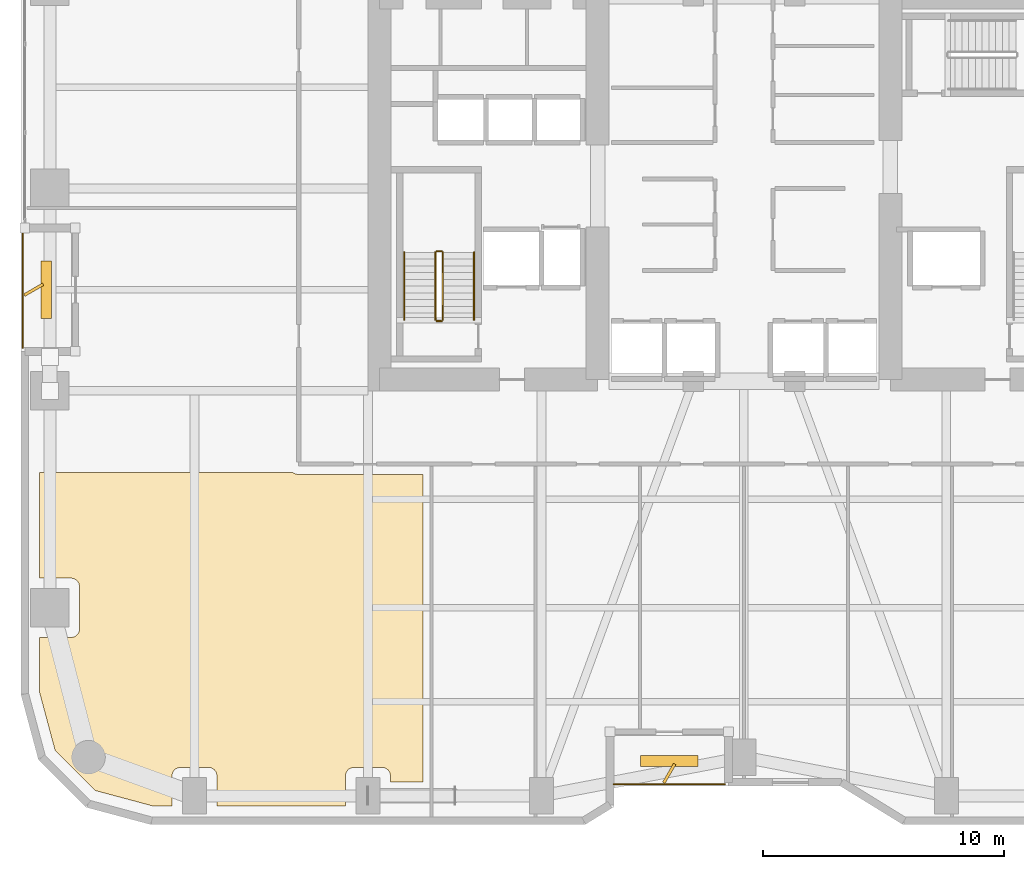
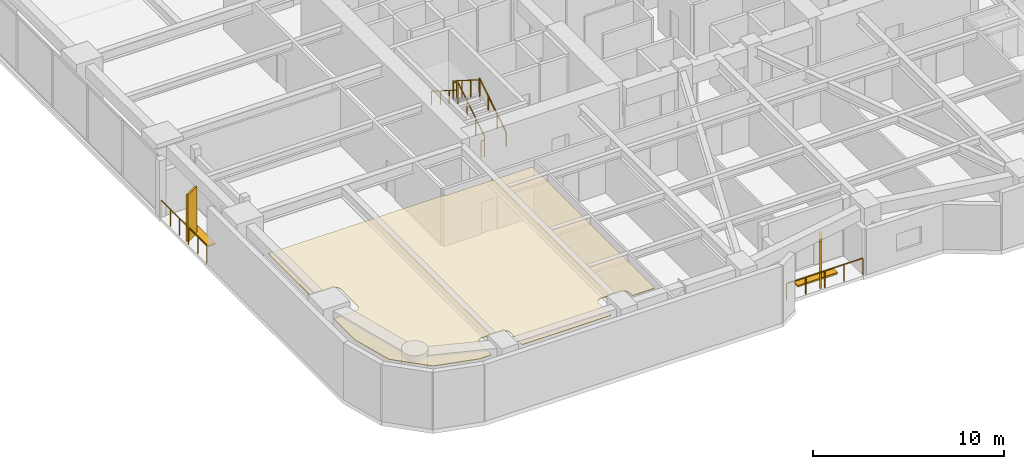
# One storey, part 26 of 28: 8 railings, 4 shading devices, 1 covering.
"""IFC4 building model written with IfcOpenShell, lengths in metres."""

from ifc_helpers import new_model, si_unit, direction, frame, origin, origin_2d, place, context, subcontext, project, spatial, polyline, rectangle, outline, extrude, material, layer, layer_set, type_object, element, save


model = new_model("IFC4")

# Units and contexts
model_context = context("Model", 3, precision=1e-05, world=origin(), true_north=direction((0.0, 1.0)))
body_context = subcontext(model_context, "Body", "Model", "MODEL_VIEW")
ifc_project = project(units=[si_unit("LENGTHUNIT", "METRE"), si_unit("AREAUNIT", "SQUARE_METRE"), si_unit("VOLUMEUNIT", "CUBIC_METRE"), si_unit("PLANEANGLEUNIT", "RADIAN"), si_unit("MASSUNIT", "GRAM", prefix="KILO")], contexts=[model_context])

# Site, building, storey
site_placement = place(None, origin())
site = spatial("IfcSite", under=ifc_project, at=site_placement, CompositionType="ELEMENT")
building_placement = place(site_placement, origin())
building = spatial("IfcBuilding", under=site, at=building_placement, Name="Kiyonajd Concourse Tower", CompositionType="ELEMENT")
storey_placement = place(building_placement, frame((0.0, 0.0, 60.60009765625)))
storey = spatial("IfcBuildingStorey", under=building, at=storey_placement, Name="L16", CompositionType="ELEMENT", Elevation=60.60009765625)

# Covering
ifc_material_1 = material(Name="Natural Oak Acoustic Timber Veneer", Category="wood")
ifc_layer = layer(ifc_material_1, 0.0400390625)
ifc_layer_set = layer_set([ifc_layer], Name="Natural Oak Acoustic Timber Veneer")
covering_type = type_object("IfcCoveringType", Name="CV-CLG-ACST", PredefinedType="CEILING", material=ifc_layer_set)
covering_placement = place(storey_placement, frame((0.0, 0.0, 3.4599609375)))
element("IfcCovering", 1, at=covering_placement, inside=storey, type_object=covering_type, Name="L16-40 Room Acoustic Ceiling", PredefinedType="CEILING", context=body_context, shape_type="SweptSolid", body=[
    extrude(outline(polyline([(19.4140625, 12.697998046875), (18.77001953125, 15.10107421875), (18.77001953125, 17.3701171875), (20.114013671875, 17.3720703125), (20.181884765625, 17.385009765625), (20.2451171875, 17.410888671875), (20.302001953125, 17.448974609375), (20.35107421875, 17.498046875), (20.388916015625, 17.554931640625), (20.4150390625, 17.617919921875), (20.429931640625, 17.719970703125), (20.427978515625, 19.513916015625), (20.403076171875, 19.614013671875), (20.35107421875, 19.701904296875), (20.302001953125, 19.7509765625), (20.2451171875, 19.7890625), (20.14794921875, 19.822998046875), (20.080078125, 19.830078125), (18.77001953125, 19.830078125), (18.77001953125, 24.2099609375), (29.277099609375, 24.2099609375), (29.33203125, 24.176025390625), (29.39501953125, 24.14990234375), (29.52490234375, 24.1298828125), (34.68994140625, 24.1298828125), (34.68994140625, 11.3701171875), (33.330078125, 11.3701171875), (33.327880859375, 11.6640625), (33.302978515625, 11.763916015625), (33.27099609375, 11.823974609375), (33.22705078125, 11.876953125), (33.174072265625, 11.9208984375), (33.114013671875, 11.952880859375), (33.048095703125, 11.972900390625), (32.97998046875, 11.97998046875), (31.785888671875, 11.97802734375), (31.68603515625, 11.952880859375), (31.597900390625, 11.90087890625), (31.549072265625, 11.85205078125), (31.510986328125, 11.794921875), (31.47705078125, 11.697998046875), (31.469970703125, 11.6298828125), (31.469970703125, 10.3701171875), (26.1298828125, 10.3701171875), (26.1279296875, 11.6640625), (26.114990234375, 11.73193359375), (26.089111328125, 11.794921875), (26.027099609375, 11.876953125), (25.945068359375, 11.93896484375), (25.882080078125, 11.965087890625), (25.81396484375, 11.97802734375), (24.5859375, 11.97802734375), (24.486083984375, 11.952880859375), (24.39794921875, 11.90087890625), (24.34912109375, 11.85205078125), (24.31103515625, 11.794921875), (24.277099609375, 11.697998046875), (24.27001953125, 11.6298828125), (24.27001953125, 10.3701171875), (23.5009765625, 10.3701171875), (21.097900390625, 11.013916015625), (19.4140625, 12.697998046875)])), origin(), (0.0, 0.0, 1.0), 0.0400390625),
])

# Railings
ifc_material_2 = material(Name="Thermally Broken Anodised Aluminium", Category="aluminium")
railing_type_1 = type_object("IfcRailingType", Name="RL-GRD-LOG", PredefinedType="GUARDRAIL", material=ifc_material_2)
railing_1_placement = place(storey_placement, frame((42.60009765625, 11.280029296875, 0.0)))
element("IfcRailing", 2, at=railing_1_placement, inside=storey, type_object=railing_type_1, Name="L16 Engawa Loggia Perimeter Guard LOG-S", PredefinedType="GUARDRAIL", context=body_context, shape_type="SweptSolid", body=[
    extrude(rectangle(XDim=0.048095703125, YDim=0.048095703125, at=origin_2d()), frame((0.0, 0.0, 1.076171875), z_axis=(1.0, 0.0, 0.0), x_axis=(0.0, 1.0, 0.0)), (0.0, 0.0, 1.0), 4.599853515625),
    extrude(rectangle(XDim=0.0419921875, YDim=0.0419921875, at=origin_2d()), origin(), (0.0, 0.0, 1.0), 1.052001953125),
    extrude(rectangle(XDim=0.0419921875, YDim=0.0419921875, at=origin_2d()), frame((1.14990234375, 0.0, 0.0)), (0.0, 0.0, 1.0), 1.052001953125),
    extrude(rectangle(XDim=0.0419921875, YDim=0.0419921875, at=origin_2d()), frame((2.2998046875, 0.0, 0.0)), (0.0, 0.0, 1.0), 1.052001953125),
    extrude(rectangle(XDim=0.0419921875, YDim=0.0419921875, at=origin_2d()), frame((3.449951171875, 0.0, 0.0)), (0.0, 0.0, 1.0), 1.052001953125),
    extrude(rectangle(XDim=0.0419921875, YDim=0.0419921875, at=origin_2d()), frame((4.599853515625, 0.0, 0.0)), (0.0, 0.0, 1.0), 1.052001953125),
])
railing_2_placement = place(storey_placement, frame((18.080078125, 34.199951171875, 0.0)))
element("IfcRailing", 3, at=railing_2_placement, inside=storey, type_object=railing_type_1, Name="L16 Engawa Loggia Perimeter Guard LOG-W", PredefinedType="GUARDRAIL", context=body_context, shape_type="SweptSolid", body=[
    extrude(rectangle(XDim=0.048095703125, YDim=0.048095703125, at=origin_2d()), frame((0.0, 0.0, 1.076171875), z_axis=(0.0, -1.0, 0.0), x_axis=(1.0, 0.0, 0.0)), (0.0, 0.0, 1.0), 4.800048828125),
    extrude(rectangle(XDim=0.0419921875, YDim=0.0419921875, at=origin_2d()), origin(), (0.0, 0.0, 1.0), 1.052001953125),
    extrude(rectangle(XDim=0.0419921875, YDim=0.0419921875, at=origin_2d()), frame((0.0, -0.9599609375, 0.0)), (0.0, 0.0, 1.0), 1.052001953125),
    extrude(rectangle(XDim=0.0419921875, YDim=0.0419921875, at=origin_2d()), frame((0.0, -1.919921875, 0.0)), (0.0, 0.0, 1.0), 1.052001953125),
    extrude(rectangle(XDim=0.0419921875, YDim=0.0419921875, at=origin_2d()), frame((0.0, -2.880126953125, 0.0)), (0.0, 0.0, 1.0), 1.052001953125),
    extrude(rectangle(XDim=0.0419921875, YDim=0.0419921875, at=origin_2d()), frame((0.0, -3.840087890625, 0.0)), (0.0, 0.0, 1.0), 1.052001953125),
    extrude(rectangle(XDim=0.0419921875, YDim=0.0419921875, at=origin_2d()), frame((0.0, -4.800048828125, 0.0)), (0.0, 0.0, 1.0), 1.052001953125),
])
ifc_material_3 = material(Name="Steel ASTM A500 Grade C", Category="steel")
railing_type_2 = type_object("IfcRailingType", Name="RL-GRD-STR", PredefinedType="GUARDRAIL", material=ifc_material_3)
railing_3_placement = place(storey_placement, frame((35.5, 30.550048828125, 0.17724609375)))
element("IfcRailing", 4, at=railing_3_placement, inside=storey, type_object=railing_type_2, Name="L16 ST1 stair guard 1", PredefinedType="GUARDRAIL", context=body_context, shape_type="SweptSolid", body=[
    extrude(rectangle(XDim=0.048095703125, YDim=0.048095703125, at=origin_2d()), frame((0.0, 0.0, 1.076171875), z_axis=(0.0, 0.844908973607, 0.534910110503), x_axis=(-1.0, 0.0, 0.0)), (0.0, 0.0, 1.0), 3.31396484375),
    extrude(rectangle(XDim=0.0419921875, YDim=0.0419921875, at=origin_2d()), origin(), (0.0, 0.0, 1.0), 1.052001953125),
    extrude(rectangle(XDim=0.0419921875, YDim=0.0419921875, at=origin_2d()), frame((0.0, 0.933349609375, 0.5908203125)), (0.0, 0.0, 1.0), 1.052001953125),
    extrude(rectangle(XDim=0.0419921875, YDim=0.0419921875, at=origin_2d()), frame((0.0, 1.86669921875, 1.181884765625)), (0.0, 0.0, 1.0), 1.052001953125),
    extrude(rectangle(XDim=0.0419921875, YDim=0.0419921875, at=origin_2d()), frame((0.0, 2.800048828125, 1.772705078125)), (0.0, 0.0, 1.0), 1.052001953125),
])
railing_4_placement = place(storey_placement, frame((35.449951171875, 33.39990234375, 1.949951171875)))
element("IfcRailing", 5, at=railing_4_placement, inside=storey, type_object=railing_type_2, Name="L16 ST1 stair guard 2", PredefinedType="GUARDRAIL", context=body_context, shape_type="SweptSolid", body=[
    extrude(rectangle(XDim=0.048095703125, YDim=0.048095703125, at=origin_2d()), frame((0.0, 0.0, 1.076171875), z_axis=(-1.0, 0.0, 0.0), x_axis=(0.0, -1.0, 0.0)), (0.0, 0.0, 1.0), 0.199951171875),
    extrude(rectangle(XDim=0.0419921875, YDim=0.0419921875, at=origin_2d()), origin(), (0.0, 0.0, 1.0), 1.052001953125),
    extrude(rectangle(XDim=0.0419921875, YDim=0.0419921875, at=origin_2d()), frame((-0.199951171875, 0.0, 0.0)), (0.0, 0.0, 1.0), 1.052001953125),
])
railing_5_placement = place(storey_placement, frame((35.199951171875, 33.35009765625, 2.127197265625)))
element("IfcRailing", 6, at=railing_5_placement, inside=storey, type_object=railing_type_2, Name="L16 ST1 stair guard 3", PredefinedType="GUARDRAIL", context=body_context, shape_type="SweptSolid", body=[
    extrude(rectangle(XDim=0.048095703125, YDim=0.048095703125, at=origin_2d()), frame((0.0, 0.0, 1.076171875), z_axis=(0.0, -0.844908973607, 0.534910110503), x_axis=(1.0, 0.0, 0.0)), (0.0, 0.0, 1.0), 3.31396484375),
    extrude(rectangle(XDim=0.0419921875, YDim=0.0419921875, at=origin_2d()), origin(), (0.0, 0.0, 1.0), 1.052001953125),
    extrude(rectangle(XDim=0.0419921875, YDim=0.0419921875, at=origin_2d()), frame((0.0, -0.933349609375, 0.5908203125)), (0.0, 0.0, 1.0), 1.052001953125),
    extrude(rectangle(XDim=0.0419921875, YDim=0.0419921875, at=origin_2d()), frame((0.0, -1.86669921875, 1.181884765625)), (0.0, 0.0, 1.0), 1.052001953125),
    extrude(rectangle(XDim=0.0419921875, YDim=0.0419921875, at=origin_2d()), frame((0.0, -2.800048828125, 1.772705078125)), (0.0, 0.0, 1.0), 1.052001953125),
])
railing_6_placement = place(storey_placement, frame((35.449951171875, 30.5, 0.0)))
element("IfcRailing", 7, at=railing_6_placement, inside=storey, type_object=railing_type_2, Name="L16 ST1 stair guard 4", PredefinedType="GUARDRAIL", context=body_context, shape_type="SweptSolid", body=[
    extrude(rectangle(XDim=0.048095703125, YDim=0.048095703125, at=origin_2d()), frame((0.0, 0.0, 1.076171875), z_axis=(-1.0, 0.0, 0.0), x_axis=(0.0, -1.0, 0.0)), (0.0, 0.0, 1.0), 0.199951171875),
    extrude(rectangle(XDim=0.0419921875, YDim=0.0419921875, at=origin_2d()), origin(), (0.0, 0.0, 1.0), 1.052001953125),
    extrude(rectangle(XDim=0.0419921875, YDim=0.0419921875, at=origin_2d()), frame((-0.199951171875, 0.0, 0.0)), (0.0, 0.0, 1.0), 1.052001953125),
])
ifc_material_4 = material(Name="Brushed Stainless Steel Cab Assembly", Category="steel")
railing_type_3 = type_object("IfcRailingType", Name="RL-HND-900", PredefinedType="HANDRAIL", material=ifc_material_4)
railing_7_placement = place(storey_placement, frame((36.800048828125, 30.550048828125, 0.17724609375)))
element("IfcRailing", 8, at=railing_7_placement, inside=storey, type_object=railing_type_3, Name="L16 ST1 stair handrail 1", PredefinedType="HANDRAIL", context=body_context, shape_type="SweptSolid", body=[
    extrude(rectangle(XDim=0.048095703125, YDim=0.048095703125, at=origin_2d()), frame((0.0, 0.0, 0.8759765625), z_axis=(0.0, 0.844908973607, 0.534910110503), x_axis=(-1.0, 0.0, 0.0)), (0.0, 0.0, 1.0), 3.31396484375),
    extrude(rectangle(XDim=0.0419921875, YDim=0.0419921875, at=origin_2d()), origin(), (0.0, 0.0, 1.0), 0.851806640625),
    extrude(rectangle(XDim=0.0419921875, YDim=0.0419921875, at=origin_2d()), frame((0.0, 0.933349609375, 0.5908203125)), (0.0, 0.0, 1.0), 0.851806640625),
    extrude(rectangle(XDim=0.0419921875, YDim=0.0419921875, at=origin_2d()), frame((0.0, 1.86669921875, 1.181884765625)), (0.0, 0.0, 1.0), 0.851806640625),
    extrude(rectangle(XDim=0.0419921875, YDim=0.0419921875, at=origin_2d()), frame((0.0, 2.800048828125, 1.772705078125)), (0.0, 0.0, 1.0), 0.851806640625),
])
railing_8_placement = place(storey_placement, frame((33.89990234375, 33.35009765625, 2.127197265625)))
element("IfcRailing", 9, at=railing_8_placement, inside=storey, type_object=railing_type_3, Name="L16 ST1 stair handrail 2", PredefinedType="HANDRAIL", context=body_context, shape_type="SweptSolid", body=[
    extrude(rectangle(XDim=0.048095703125, YDim=0.048095703125, at=origin_2d()), frame((0.0, 0.0, 0.8759765625), z_axis=(0.0, -0.844908973607, 0.534910110503), x_axis=(1.0, 0.0, 0.0)), (0.0, 0.0, 1.0), 3.31396484375),
    extrude(rectangle(XDim=0.0419921875, YDim=0.0419921875, at=origin_2d()), origin(), (0.0, 0.0, 1.0), 0.851806640625),
    extrude(rectangle(XDim=0.0419921875, YDim=0.0419921875, at=origin_2d()), frame((0.0, -0.933349609375, 0.5908203125)), (0.0, 0.0, 1.0), 0.851806640625),
    extrude(rectangle(XDim=0.0419921875, YDim=0.0419921875, at=origin_2d()), frame((0.0, -1.86669921875, 1.181884765625)), (0.0, 0.0, 1.0), 0.851806640625),
    extrude(rectangle(XDim=0.0419921875, YDim=0.0419921875, at=origin_2d()), frame((0.0, -2.800048828125, 1.772705078125)), (0.0, 0.0, 1.0), 0.851806640625),
])

# Shading devices
ifc_material_5 = material(Name="Precast concrete C50/60", Category="concrete")
shading_device_type_1 = type_object("IfcShadingDeviceType", Name="SH-FIN-900", PredefinedType="USERDEFINED", material=ifc_material_5)
for number, where, z_axis, x_axis, name in (
    (10, (44.89990234375, 11.72998046875, 0.0), (0.0, 0.0, 1.0), (0.5, 0.866025403784, 0.0), "L16 Angled Koshi Solar Fin LOG-S"),
    (11, (18.530029296875, 31.800048828125, 0.0), (0.0, 0.0, 1.0), (0.866025403784, 0.5, 0.0), "L16 Angled Koshi Solar Fin LOG-W"),
):
    element("IfcShadingDevice", number, at=place(storey_placement, frame(where, z_axis=z_axis, x_axis=x_axis)), inside=storey, type_object=shading_device_type_1, Name=name, ObjectType="FIN", PredefinedType="USERDEFINED", context=body_context, shape_type="SweptSolid", body=[
        extrude(rectangle(XDim=0.89990234375, YDim=0.1201171875, at=origin_2d()), origin(), (0.0, 0.0, 1.0), 3.0),
    ])
shading_device_type_2 = type_object("IfcShadingDeviceType", Name="SH-LVR-600", PredefinedType="JALOUSIE", material=ifc_material_2)
for number, where, z_axis, x_axis, name in (
    (12, (44.89990234375, 12.25, -0.000244140625), (0.0, 0.0, 1.0), (1.0, 0.0, 0.0), "L16 Loggia Threshold Louver LOG-S"),
    (13, (19.050048828125, 31.800048828125, -0.000244140625), (0.0, 0.0, 1.0), (0.0, 1.0, 0.0), "L16 Loggia Threshold Louver LOG-W"),
):
    element("IfcShadingDevice", number, at=place(storey_placement, frame(where, z_axis=z_axis, x_axis=x_axis)), inside=storey, type_object=shading_device_type_2, Name=name, PredefinedType="JALOUSIE", context=body_context, shape_type="SweptSolid", body=[
        extrude(rectangle(XDim=2.39990234375, YDim=0.449951171875, at=origin_2d()), origin(), (0.0, 0.0, 1.0), 0.10009765625),
    ])

save(model, "model.ifc")
